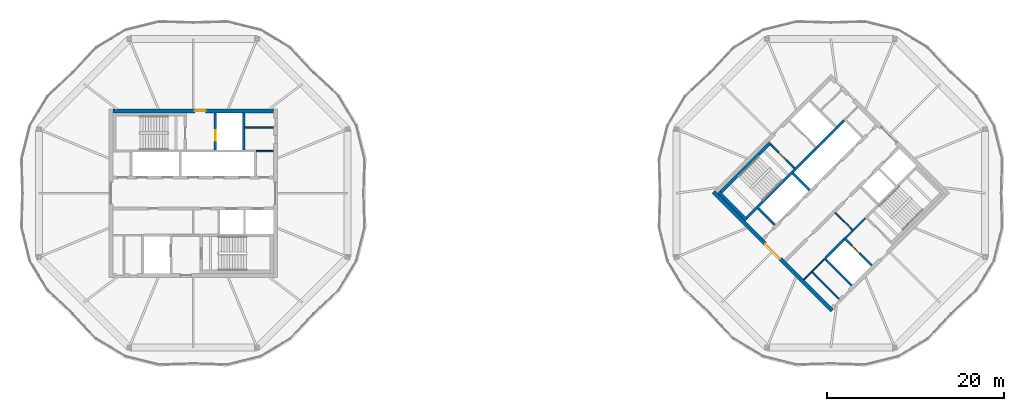
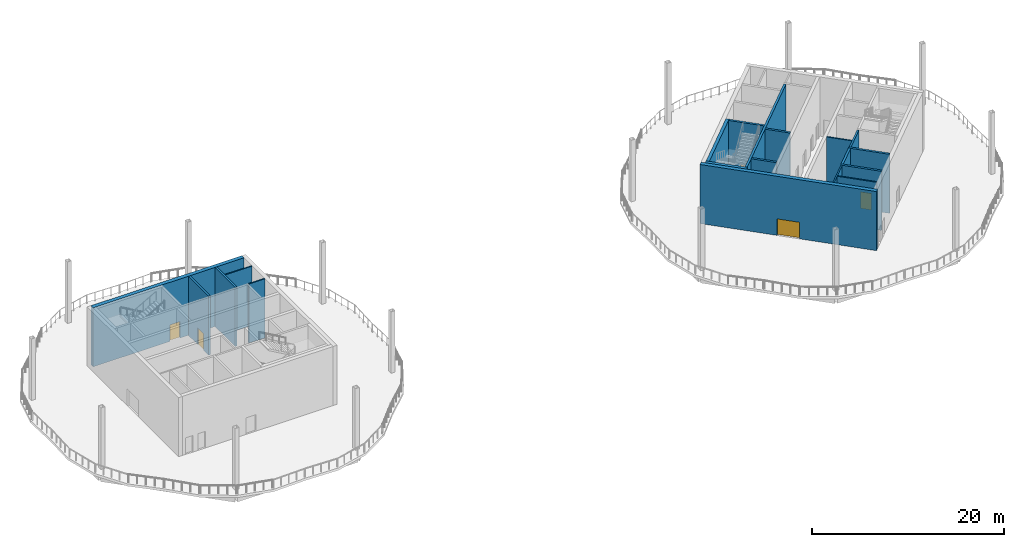
# One storey, part 6 of 12: 19 walls, 5 doors, 5 openings.
"""IFC4 building model written with IfcOpenShell, lengths in metres."""

from ifc_helpers import new_model, si_unit, direction, frame, frame_2d, origin, place, context, subcontext, project, spatial, rectangle, extrude, material, layer, layer_set, type_object, element, fill, save


model = new_model("IFC4")

# Units and contexts
model_context = context("Model", 3, precision=1e-05, world=origin(), true_north=direction((0.0, 1.0)))
body_context = subcontext(model_context, "Body", "Model", "MODEL_VIEW")
ifc_project = project(units=[si_unit("LENGTHUNIT", "METRE"), si_unit("AREAUNIT", "SQUARE_METRE"), si_unit("VOLUMEUNIT", "CUBIC_METRE"), si_unit("PLANEANGLEUNIT", "RADIAN"), si_unit("MASSUNIT", "GRAM", prefix="KILO")], contexts=[model_context])

# Site, building, storey
site_placement = place(None, origin())
site = spatial("IfcSite", under=ifc_project, at=site_placement, CompositionType="ELEMENT")
building_placement = place(site_placement, origin())
building = spatial("IfcBuilding", under=site, at=building_placement, Name="Ogive Gate Towers", CompositionType="ELEMENT")
storey_placement = place(building_placement, frame((0.0, 0.0, 248.39990234375)))
storey = spatial("IfcBuildingStorey", under=building, at=storey_placement, Name="L59", CompositionType="ELEMENT", Elevation=248.39990234375)

# Wall
ifc_material_1 = material(Name="Masonry blockwork", Category="masonry")
ifc_layer_1 = layer(ifc_material_1, 0.199951171875)
ifc_layer_set_1 = layer_set([ifc_layer_1], Name="Blockwork wall 200 mm")
wall_type_1 = type_object("IfcWallType", Name="Blockwork wall 200 mm", PredefinedType="PARTITIONING", material=ifc_layer_set_1)
wall_1_placement = place(storey_placement, frame((37.679443359375, -5.0380859375, 0.0), z_axis=(0.0, 0.0, 1.0), x_axis=(0.707106781187, 0.707106781187, 0.0)))
element("IfcWall", 1, at=wall_1_placement, inside=storey, type_object=wall_type_1, Name="T2 L59 Blockwork wall 200 mm", PredefinedType="PARTITIONING", context=body_context, shape_type="SweptSolid", body=[
    extrude(rectangle(XDim=3.14990234375, YDim=0.199951171875, at=frame_2d((1.574951171875, 0.0))), origin(), (0.0, 0.0, 1.0), 7.5),
])

# Wall, opening, door
ifc_material_2 = material(Name="Concrete C60/75", Category="concrete")
ifc_layer_2 = layer(ifc_material_2, 0.449951171875)
ifc_layer_set_2 = layer_set([ifc_layer_2], Name="Core wall 450 mm")
wall_type_2 = type_object("IfcWallType", Name="Core wall 450 mm", PredefinedType="SHEAR", material=ifc_layer_set_2)
wall_2_placement = place(storey_placement, frame((-45.050048828125, 9.27490234375, 0.0), z_axis=(0.0, 0.0, 1.0), x_axis=(1.0, 0.0, 0.0)))
wall_2 = element("IfcWall", 2, at=wall_2_placement, inside=storey, type_object=wall_type_2, Name="T1 L59 Core wall 450 mm", PredefinedType="SHEAR", context=body_context, shape_type="SweptSolid", body=[
    extrude(rectangle(XDim=18.10009765625, YDim=0.449951171875, at=frame_2d((9.050048828125, 0.0))), origin(), (0.0, 0.0, 1.0), 7.5),
])
opening_1_placement = place(wall_2_placement, frame((9.25, 0.0, 0.0)))
opening_1 = element("IfcOpeningElement", 3, at=opening_1_placement, cuts=wall_2, Name="Opening KD-T1-L59-18", PredefinedType="OPENING", context=body_context, shape_type="SweptSolid", body=[
    extrude(rectangle(XDim=1.199951171875, YDim=2.10009765625, at=frame_2d((0.60009765625, 1.050048828125))), frame((0.0, 0.23486328125, 0.0), z_axis=(0.0, -1.0, 0.0), x_axis=(1.0, 0.0, 0.0)), (0.0, 0.0, 1.0), 0.469970703125),
])
ifc_material_3 = material(Name="Steel fire door", Category="steel")
door_type_1 = type_object("IfcDoorType", Name="Core door FD60S 1200 x 2100", OperationType="NOTDEFINED", PredefinedType="DOOR", material=ifc_material_3)
door_1_placement = place(opening_1_placement, origin())
door_1 = element("IfcDoor", 4, at=door_1_placement, inside=storey, type_object=door_type_1, Name="T1 L59 Fire-fighting lobby door", OperationType="SINGLE_SWING_LEFT", OverallHeight=2.10009765625, OverallWidth=1.199951171875, PredefinedType="DOOR", context=body_context, shape_type="SweptSolid", body=[
    extrude(rectangle(XDim=1.199951171875, YDim=2.10009765625, at=frame_2d((0.60009765625, 1.050048828125))), frame((0.0, 0.02490234375, 0.0), z_axis=(0.0, -1.0, 0.0), x_axis=(1.0, 0.0, 0.0)), (0.0, 0.0, 1.0), 0.050048828125),
])
fill(opening_1, door_1)

wall_3_placement = place(storey_placement, frame((36.1591796875, -13.27587890625, 0.0), z_axis=(0.0, 0.0, 1.0), x_axis=(-0.707106781187, 0.707106781187, 0.0)))
wall_3 = element("IfcWall", 5, at=wall_3_placement, inside=storey, type_object=wall_type_2, Name="T2 L59 Core wall 450 mm", PredefinedType="SHEAR", context=body_context, shape_type="SweptSolid", body=[
    extrude(rectangle(XDim=19.0, YDim=0.449951171875, at=frame_2d((9.5, 0.0))), origin(), (0.0, 0.0, 1.0), 7.5),
])
opening_2_placement = place(wall_3_placement, frame((8.300048828125, 0.0, 0.0)))
opening_2 = element("IfcOpeningElement", 6, at=opening_2_placement, cuts=wall_3, Name="Opening KD-T2-L59-01", PredefinedType="OPENING", context=body_context, shape_type="SweptSolid", body=[
    extrude(rectangle(XDim=2.39990234375, YDim=2.10009765625, at=frame_2d((1.199951171875, 1.050048828125))), frame((0.0, 0.23486328125, 0.0), z_axis=(0.0, -1.0, 0.0), x_axis=(1.0, 0.0, 0.0)), (0.0, 0.0, 1.0), 0.469970703125),
])
door_type_2 = type_object("IfcDoorType", Name="Core double door FD60S 2400 x 2100", OperationType="DOUBLE_DOOR_SINGLE_SWING", PredefinedType="DOOR", material=ifc_material_3)
door_2_placement = place(opening_2_placement, origin())
door_2 = element("IfcDoor", 7, at=door_2_placement, inside=storey, type_object=door_type_2, Name="T2 L59 Core door double", OperationType="DOUBLE_DOOR_SINGLE_SWING", OverallHeight=2.10009765625, OverallWidth=2.39990234375, PredefinedType="DOOR", context=body_context, shape_type="SweptSolid", body=[
    extrude(rectangle(XDim=2.39990234375, YDim=2.10009765625, at=frame_2d((1.199951171875, 1.050048828125))), frame((0.0, 0.02490234375, 0.0), z_axis=(0.0, -1.0, 0.0), x_axis=(1.0, 0.0, 0.0)), (0.0, 0.0, 1.0), 0.050048828125),
])
fill(opening_2, door_2)

# Walls
ifc_material_4 = material(Name="Gypsum board partition")
ifc_layer_3 = layer(ifc_material_4, 0.14990234375)
ifc_layer_set_3 = layer_set([ifc_layer_3], Name="Room partition 150 mm")
wall_type_3 = type_object("IfcWallType", Name="Room partition 150 mm", PredefinedType="PARTITIONING", material=ifc_layer_set_3)
wall_4_placement = place(storey_placement, frame((-28.875, 4.75, 0.0), z_axis=(0.0, 0.0, 1.0), x_axis=(1.0, 0.0, 0.0)))
element("IfcWall", 8, at=wall_4_placement, inside=storey, type_object=wall_type_3, Name="T1 L59 Room partition 150 mm", PredefinedType="PARTITIONING", context=body_context, shape_type="SweptSolid", body=[
    extrude(rectangle(XDim=1.925048828125, YDim=0.14990234375, at=frame_2d((0.96240234375, 0.0))), origin(), (0.0, 0.0, 1.0), 7.5),
])
wall_5_placement = place(storey_placement, frame((-30.175048828125, 7.39990234375, 0.0), z_axis=(0.0, 0.0, 1.0), x_axis=(1.0, 0.0, 0.0)))
element("IfcWall", 9, at=wall_5_placement, inside=storey, type_object=wall_type_3, Name="T1 L59 Room partition 150 mm", PredefinedType="PARTITIONING", context=body_context, shape_type="SweptSolid", body=[
    extrude(rectangle(XDim=3.22509765625, YDim=0.14990234375, at=frame_2d((1.612548828125, 0.0))), origin(), (0.0, 0.0, 1.0), 7.5),
])
wall_6_placement = place(storey_placement, frame((32.95947265625, -9.758056640625, 0.0), z_axis=(0.0, 0.0, 1.0), x_axis=(0.707144631829, 0.707068928518, 0.0)))
element("IfcWall", 10, at=wall_6_placement, inside=storey, type_object=wall_type_3, Name="T2 L59 Room partition 150 mm", PredefinedType="PARTITIONING", context=body_context, shape_type="SweptSolid", body=[
    extrude(rectangle(XDim=3.224853515625, YDim=0.14990234375, at=frame_2d((1.6123046875, 0.0))), origin(), (0.0, 0.0, 1.0), 7.5),
])
wall_7_placement = place(storey_placement, frame((36.8837890625, -11.914794921875, 0.0), z_axis=(0.0, 0.0, 1.0), x_axis=(-0.707077887253, 0.707135673939, 0.0)))
element("IfcWall", 11, at=wall_7_placement, inside=storey, type_object=wall_type_3, Name="T2 L59 Room partition 150 mm", PredefinedType="PARTITIONING", context=body_context, shape_type="SweptSolid", body=[
    extrude(rectangle(XDim=4.224853515625, YDim=0.14990234375, at=frame_2d((2.1123046875, 0.0))), origin(), (0.0, 0.0, 1.0), 7.5),
])
wall_8_placement = place(storey_placement, frame((38.439453125, -4.13671875, 0.0), z_axis=(0.0, 0.0, 1.0), x_axis=(-0.707061983646, 0.707151575889, 0.0)))
element("IfcWall", 12, at=wall_8_placement, inside=storey, type_object=wall_type_3, Name="T2 L59 Room partition 150 mm", PredefinedType="PARTITIONING", context=body_context, shape_type="SweptSolid", body=[
    extrude(rectangle(XDim=2.72509765625, YDim=0.14990234375, at=frame_2d((1.362548828125, 0.0))), origin(), (0.0, 0.0, 1.0), 7.5),
])

# Wall, opening, door
ifc_layer_4 = layer(ifc_material_2, 0.25)
ifc_layer_set_4 = layer_set([ifc_layer_4], Name="Shaft wall 250 mm")
wall_type_4 = type_object("IfcWallType", Name="Shaft wall 250 mm", PredefinedType="SHEAR", material=ifc_layer_set_4)
wall_9_placement = place(storey_placement, frame((-33.5, 4.875, 0.0), z_axis=(0.0, 0.0, 1.0), x_axis=(0.0, 1.0, 0.0)))
wall_9 = element("IfcWall", 13, at=wall_9_placement, inside=storey, type_object=wall_type_4, Name="T1 L59 Shaft wall 250 mm", PredefinedType="SHEAR", context=body_context, shape_type="SweptSolid", body=[
    extrude(rectangle(XDim=4.175048828125, YDim=0.25, at=frame_2d((2.08740234375, 0.0))), origin(), (0.0, 0.0, 1.0), 7.5),
])
opening_3_placement = place(wall_9_placement, frame((1.02490234375, 0.0, 0.0)))
opening_3 = element("IfcOpeningElement", 14, at=opening_3_placement, cuts=wall_9, Name="Opening LD-T1-L59-12", PredefinedType="OPENING", context=body_context, shape_type="SweptSolid", body=[
    extrude(rectangle(XDim=1.199951171875, YDim=2.10009765625, at=frame_2d((0.60009765625, 1.050048828125))), frame((0.0, 0.135009765625, 0.0), z_axis=(0.0, -1.0, 0.0), x_axis=(1.0, 0.0, 0.0)), (0.0, 0.0, 1.0), 0.27001953125),
])
ifc_material_5 = material(Name="Stainless steel landing door", Category="steel")
door_type_3 = type_object("IfcDoorType", Name="Landing door 1200 x 2100", OperationType="SLIDING_TO_LEFT", PredefinedType="DOOR", material=ifc_material_5)
door_3_placement = place(opening_3_placement, origin())
door_3 = element("IfcDoor", 15, at=door_3_placement, inside=storey, type_object=door_type_3, Name="T1 L59 Lift landing door FF1", OperationType="SLIDING_TO_LEFT", OverallHeight=2.10009765625, OverallWidth=1.199951171875, PredefinedType="DOOR", context=body_context, shape_type="SweptSolid", body=[
    extrude(rectangle(XDim=1.199951171875, YDim=2.10009765625, at=frame_2d((0.60009765625, 1.050048828125))), frame((0.0, 0.02490234375, 0.0), z_axis=(0.0, -1.0, 0.0), x_axis=(1.0, 0.0, 0.0)), (0.0, 0.0, 1.0), 0.050048828125),
])
fill(opening_3, door_3)

# Walls
wall_10_placement = place(storey_placement, frame((-30.300048828125, 4.875, 0.0), z_axis=(0.0, 0.0, 1.0), x_axis=(0.0, 1.0, 0.0)))
element("IfcWall", 16, at=wall_10_placement, inside=storey, type_object=wall_type_4, Name="T1 L59 Shaft wall 250 mm", PredefinedType="SHEAR", context=body_context, shape_type="SweptSolid", body=[
    extrude(rectangle(XDim=4.175048828125, YDim=0.25, at=frame_2d((2.08740234375, 0.0))), origin(), (0.0, 0.0, 1.0), 7.5),
])
wall_11_placement = place(storey_placement, frame((35.41650390625, -7.30078125, 0.0), z_axis=(0.0, 0.0, 1.0), x_axis=(0.707148157867, 0.707065402085, 0.0)))
element("IfcWall", 17, at=wall_11_placement, inside=storey, type_object=wall_type_4, Name="T2 L59 Shaft wall 250 mm", PredefinedType="SHEAR", context=body_context, shape_type="SweptSolid", body=[
    extrude(rectangle(XDim=2.9501953125, YDim=0.25, at=frame_2d((1.47509765625, 0.0))), origin(), (0.0, 0.0, 1.0), 7.5),
])
wall_12_placement = place(storey_placement, frame((26.489501953125, -2.793212890625, 0.0), z_axis=(0.0, 0.0, 1.0), x_axis=(0.707098943647, 0.70711461864, 0.0)))
element("IfcWall", 18, at=wall_12_placement, inside=storey, type_object=wall_type_4, Name="T2 L59 Shaft wall 250 mm", PredefinedType="SHEAR", context=body_context, shape_type="SweptSolid", body=[
    extrude(rectangle(XDim=15.5751953125, YDim=0.25, at=frame_2d((7.78759765625, 0.0))), origin(), (0.0, 0.0, 1.0), 7.5),
])
wall_13_placement = place(storey_placement, frame((29.689208984375, -3.588623046875, 0.0), z_axis=(0.0, 0.0, 1.0), x_axis=(-0.707151988282, 0.707061571201, 0.0)))
element("IfcWall", 19, at=wall_13_placement, inside=storey, type_object=wall_type_4, Name="T2 L59 Shaft wall 250 mm", PredefinedType="SHEAR", context=body_context, shape_type="SweptSolid", body=[
    extrude(rectangle(XDim=2.7001953125, YDim=0.25, at=frame_2d((1.35009765625, 0.0))), origin(), (0.0, 0.0, 1.0), 7.5),
])
wall_14_placement = place(storey_placement, frame((38.368896484375, -10.4296875, 0.0), z_axis=(0.0, 0.0, 1.0), x_axis=(-0.707134682099, 0.707078879173, 0.0)))
element("IfcWall", 20, at=wall_14_placement, inside=storey, type_object=wall_type_4, Name="T2 L59 Shaft wall 250 mm", PredefinedType="SHEAR", context=body_context, shape_type="SweptSolid", body=[
    extrude(rectangle(XDim=4.375, YDim=0.25, at=frame_2d((2.1875, 0.0))), origin(), (0.0, 0.0, 1.0), 7.5),
])

# Wall, opening, door
wall_15_placement = place(storey_placement, frame((40.631591796875, -8.1669921875, 0.0), z_axis=(0.0, 0.0, 1.0), x_axis=(-0.707106781187, 0.707106781187, 0.0)))
wall_15 = element("IfcWall", 21, at=wall_15_placement, inside=storey, type_object=wall_type_4, Name="T2 L59 Shaft wall 250 mm", PredefinedType="SHEAR", context=body_context, shape_type="SweptSolid", body=[
    extrude(rectangle(XDim=4.425048828125, YDim=0.25, at=frame_2d((2.21240234375, 0.0))), origin(), (0.0, 0.0, 1.0), 7.5),
])
opening_4_placement = place(wall_15_placement, frame((1.949951171875, 0.0, 0.0)))
opening_4 = element("IfcOpeningElement", 22, at=opening_4_placement, cuts=wall_15, Name="Opening LD-T2-L59-13", PredefinedType="OPENING", context=body_context, shape_type="SweptSolid", body=[
    extrude(rectangle(XDim=1.199951171875, YDim=2.10009765625, at=frame_2d((0.60009765625, 1.050048828125))), frame((0.0, 0.135009765625, 0.0), z_axis=(0.0, -1.0, 0.0), x_axis=(1.0, 0.0, 0.0)), (0.0, 0.0, 1.0), 0.27001953125),
])
door_4_placement = place(opening_4_placement, origin())
door_4 = element("IfcDoor", 23, at=door_4_placement, inside=storey, type_object=door_type_3, Name="T2 L59 Lift landing door FF2", OperationType="SLIDING_TO_LEFT", OverallHeight=2.10009765625, OverallWidth=1.199951171875, PredefinedType="DOOR", context=body_context, shape_type="SweptSolid", body=[
    extrude(rectangle(XDim=1.199951171875, YDim=2.10009765625, at=frame_2d((0.60009765625, 1.050048828125))), frame((0.0, 0.02490234375, 0.0), z_axis=(0.0, -1.0, 0.0), x_axis=(1.0, 0.0, 0.0)), (0.0, 0.0, 1.0), 0.050048828125),
])
fill(opening_4, door_4)

# Wall
wall_16_placement = place(storey_placement, frame((33.613525390625, 0.3359375, 0.0), z_axis=(0.0, 0.0, 1.0), x_axis=(-0.707106781187, 0.707106781187, 0.0)))
element("IfcWall", 24, at=wall_16_placement, inside=storey, type_object=wall_type_4, Name="T2 L59 Shaft wall 250 mm", PredefinedType="SHEAR", context=body_context, shape_type="SweptSolid", body=[
    extrude(rectangle(XDim=2.699951171875, YDim=0.25, at=frame_2d((1.35009765625, 0.0))), origin(), (0.0, 0.0, 1.0), 7.5),
])

# Wall, opening, door
wall_17_placement = place(storey_placement, frame((31.91650390625, 2.810791015625, 0.0), z_axis=(0.0, 0.0, 1.0), x_axis=(-0.707106781187, 0.707106781187, 0.0)))
wall_17 = element("IfcWall", 25, at=wall_17_placement, inside=storey, type_object=wall_type_4, Name="T2 L59 Shaft wall 250 mm", PredefinedType="SHEAR", context=body_context, shape_type="SweptSolid", body=[
    extrude(rectangle(XDim=3.824951171875, YDim=0.25, at=frame_2d((1.91259765625, 0.0))), origin(), (0.0, 0.0, 1.0), 7.5),
])
opening_5_placement = place(wall_17_placement, frame((1.324951171875, 0.0, 0.0)))
opening_5 = element("IfcOpeningElement", 26, at=opening_5_placement, cuts=wall_17, Name="Opening KD-T2-L59-16", PredefinedType="OPENING", context=body_context, shape_type="SweptSolid", body=[
    extrude(rectangle(XDim=1.199951171875, YDim=2.10009765625, at=frame_2d((0.60009765625, 1.050048828125))), frame((0.0, 0.135009765625, 0.0), z_axis=(0.0, -1.0, 0.0), x_axis=(1.0, 0.0, 0.0)), (0.0, 0.0, 1.0), 0.27001953125),
])
door_5_placement = place(opening_5_placement, origin())
door_5 = element("IfcDoor", 27, at=door_5_placement, inside=storey, type_object=door_type_1, Name="T2 L59 Stair door", OperationType="SINGLE_SWING_LEFT", OverallHeight=2.10009765625, OverallWidth=1.199951171875, PredefinedType="DOOR", context=body_context, shape_type="SweptSolid", body=[
    extrude(rectangle(XDim=1.199951171875, YDim=2.10009765625, at=frame_2d((0.60009765625, 1.050048828125))), frame((0.0, 0.02490234375, 0.0), z_axis=(0.0, -1.0, 0.0), x_axis=(1.0, 0.0, 0.0)), (0.0, 0.0, 1.0), 0.050048828125),
])
fill(opening_5, door_5)

# Walls
ifc_layer_5 = layer(ifc_material_2, 0.35009765625)
ifc_layer_set_5 = layer_set([ifc_layer_5], Name="Stair wall 350 mm")
wall_type_5 = type_object("IfcWallType", Name="Stair wall 350 mm", PredefinedType="SHEAR", material=ifc_layer_set_5)
wall_18_placement = place(storey_placement, frame((23.572509765625, 0.123779296875, 0.0), z_axis=(0.0, 0.0, 1.0), x_axis=(0.707122184046, 0.707091377991, 0.0)))
element("IfcWall", 28, at=wall_18_placement, inside=storey, type_object=wall_type_5, Name="T2 L59 Stair wall 350 mm", PredefinedType="SHEAR", context=body_context, shape_type="SweptSolid", body=[
    extrude(rectangle(XDim=7.925048828125, YDim=0.35009765625, at=frame_2d((3.96240234375, 0.0))), origin(), (0.0, 0.0, 1.0), 7.5),
])
wall_19_placement = place(storey_placement, frame((26.4541015625, -3.005126953125, 0.0), z_axis=(0.0, 0.0, 1.0), x_axis=(-0.707106781187, 0.707106781187, 0.0)))
element("IfcWall", 29, at=wall_19_placement, inside=storey, type_object=wall_type_5, Name="T2 L59 Stair wall 350 mm", PredefinedType="SHEAR", context=body_context, shape_type="SweptSolid", body=[
    extrude(rectangle(XDim=4.425048828125, YDim=0.35009765625, at=frame_2d((2.21240234375, 0.0))), origin(), (0.0, 0.0, 1.0), 7.5),
])

save(model, "model.ifc")
